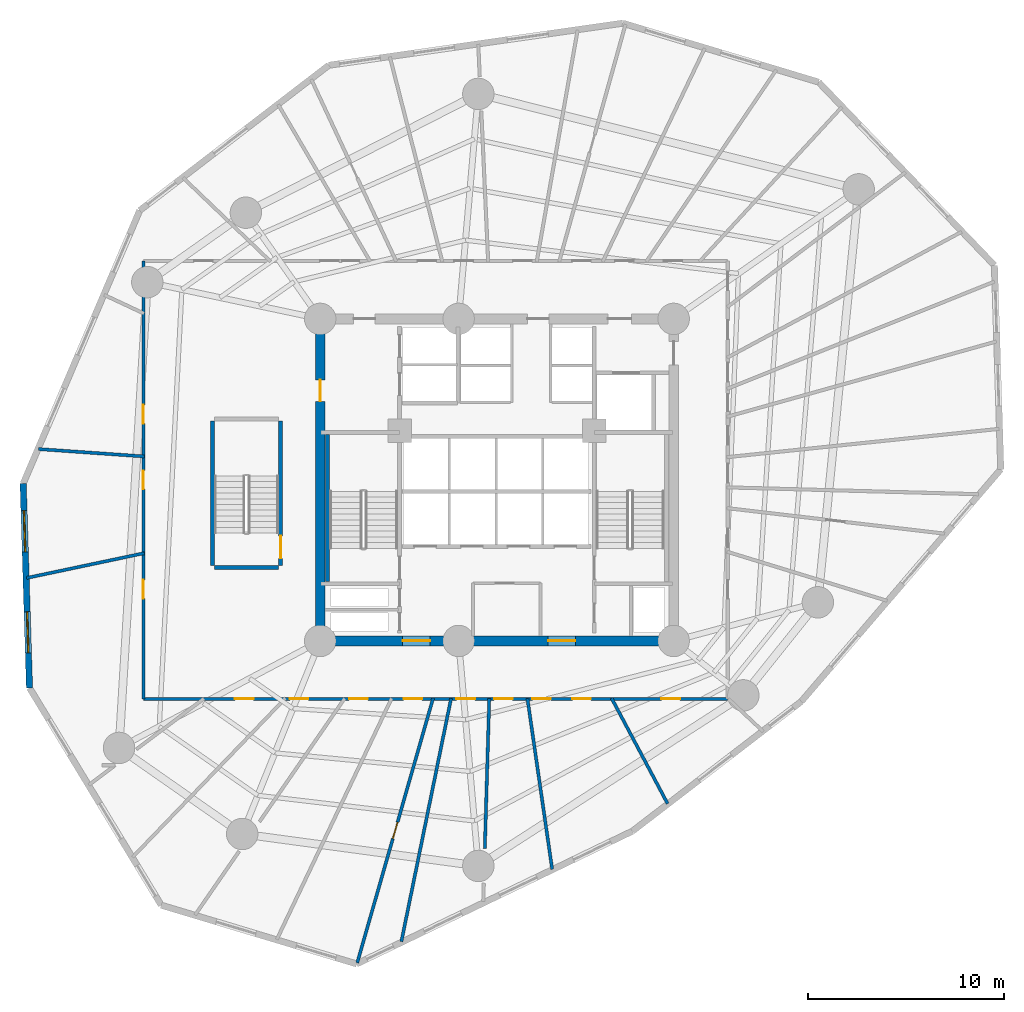
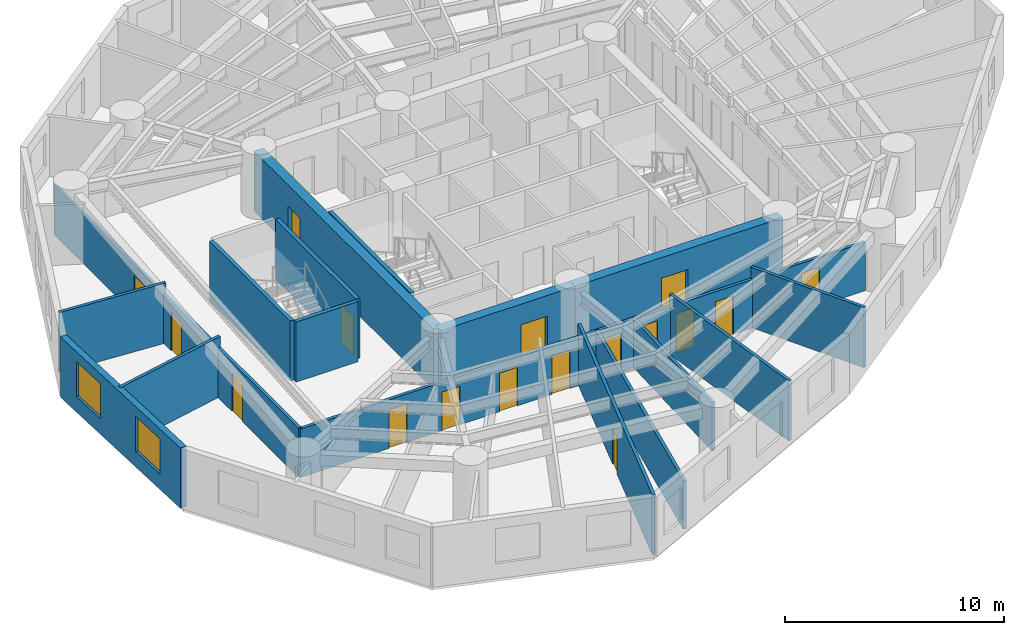
# One storey, part 3 of 8: 17 doors, 17 walls, 2 windows, 19 openings.
"""IFC4 building model written with IfcOpenShell, lengths in metres."""

import ifcopenshell
import ifcopenshell.guid

model = None  # the IFC model being written
_history = None  # IfcOwnerHistory: only IFC2X3 demands one
_inside = {}  # id of a spatial element -> (the spatial element, [elements in it])
_under = {}  # id of a project, library or spatial element -> (it, [spatial elements below it])
_declared = {}  # id of a project -> (the project, [libraries it declares])
_typed = {}  # id of a type object -> (the type object, [elements of that type])
_made_of = {}  # id of a material, layer set ... -> (it, [elements and type objects made of it])


def new_model(schema):
    """Start an empty IFC model of exactly this schema.

    Asked for "IFC4X3", IfcOpenShell would pick the latest addendum, in which some entities
    have other attributes; the version numbers below select the first issue.
    IFC2X3 requires an IfcOwnerHistory on every rooted entity: one is made here for all.
    """
    global model, _history
    if schema == "IFC4X3":
        model = ifcopenshell.file(schema_version=(4, 3, 0, 0))
    else:
        model = ifcopenshell.file(schema=schema)
    _inside.clear()
    _under.clear()
    _declared.clear()
    _typed.clear()
    _made_of.clear()
    _history = None
    if model.schema == "IFC2X3":
        org = make("IfcOrganization", Name="unknown")
        user = make(
            "IfcPersonAndOrganization",
            ThePerson=make("IfcPerson", FamilyName="unknown"),
            TheOrganization=org,
        )
        app = make(
            "IfcApplication",
            ApplicationDeveloper=org,
            Version="unknown",
            ApplicationFullName="unknown",
            ApplicationIdentifier="unknown",
        )
        _history = make(
            "IfcOwnerHistory",
            OwningUser=user,
            OwningApplication=app,
            ChangeAction="ADDED",
            CreationDate=0,
        )
    return model


def make(cls, **values):
    """One entity of the class cls with the attributes given. An attribute that is None is left unset."""
    return model.create_entity(
        cls, **{name: value for name, value in values.items() if value is not None}
    )


def rooted(cls, **values):
    """An entity with a GlobalId (a new one), such as an element, a storey or a relation."""
    return make(cls, GlobalId=ifcopenshell.guid.new(), OwnerHistory=_history, **values)


def si_unit(unit_type, name, prefix=None):
    """IfcSIUnit, for example si_unit("LENGTHUNIT", "METRE", prefix="MILLI")."""
    return make("IfcSIUnit", UnitType=unit_type, Prefix=prefix, Name=name)


def assignment(units):
    """IfcUnitAssignment: the units of a project."""
    return None if units is None else make("IfcUnitAssignment", Units=units)


def point(xyz):
    """IfcCartesianPoint."""
    return None if xyz is None else make("IfcCartesianPoint", Coordinates=xyz)


def direction(xyz):
    """IfcDirection."""
    return None if xyz is None else make("IfcDirection", DirectionRatios=xyz)


def frame(location, z_axis=None, x_axis=None):
    """IfcAxis2Placement3D, a coordinate frame: its origin and axes. An axis left out is left unset."""
    return make(
        "IfcAxis2Placement3D",
        Location=point(location),
        Axis=direction(z_axis),
        RefDirection=direction(x_axis),
    )


def frame_2d(location, x_axis=None):
    """IfcAxis2Placement2D, a coordinate frame in the plane: its origin and x axis."""
    return make(
        "IfcAxis2Placement2D", Location=point(location), RefDirection=direction(x_axis)
    )


def origin():
    """The frame at (0, 0, 0) with its axes left unset."""
    return frame((0.0, 0.0, 0.0))


def origin_with_axes():
    """The frame at (0, 0, 0) with the z axis (0, 0, 1) and the x axis (1, 0, 0) written out."""
    return frame((0.0, 0.0, 0.0), z_axis=(0.0, 0.0, 1.0), x_axis=(1.0, 0.0, 0.0))


def place(relative_to, where):
    """IfcLocalPlacement: puts the frame where relative to a parent placement (None: the world)."""
    return make(
        "IfcLocalPlacement", PlacementRelTo=relative_to, RelativePlacement=where
    )


def context(
    kind, dimensions, precision=None, world=None, true_north=None, identifier=None
):
    """IfcGeometricRepresentationContext, for example the 3D "Model" context."""
    return make(
        "IfcGeometricRepresentationContext",
        ContextIdentifier=identifier,
        ContextType=kind,
        CoordinateSpaceDimension=dimensions,
        Precision=precision,
        WorldCoordinateSystem=world,
        TrueNorth=true_north,
    )


def subcontext(parent, identifier, kind, view, scale=None):
    """IfcGeometricRepresentationSubContext, for example "Body" below "Model"."""
    return make(
        "IfcGeometricRepresentationSubContext",
        ContextIdentifier=identifier,
        ContextType=kind,
        ParentContext=parent,
        TargetScale=scale,
        TargetView=view,
    )


def project(units=None, contexts=None):
    """IfcProject with its units and contexts."""
    return rooted(
        "IfcProject",
        Name="project",
        RepresentationContexts=contexts,
        UnitsInContext=assignment(units),
    )


def spatial(cls, under=None, at=None, **own):
    """A site, building, storey or space (cls), placed at a placement, below another one or the project."""
    s = rooted(cls, ObjectPlacement=at, **own)
    if under is not None:
        _under.setdefault(under.id(), (under, []))[1].append(s)
    return s


def profile(cls, at=None, kind="AREA", **sizes):
    """A parametric profile (cls). Its sizes go by their IFC names, for example OverallWidth=200.0."""
    return make(cls, ProfileType=kind, Position=at, **sizes)


def rectangle(**sizes):
    """IfcRectangleProfileDef."""
    return profile("IfcRectangleProfileDef", **sizes)


def extrude(swept, where, along, depth):
    """IfcExtrudedAreaSolid: the profile swept, set in the frame where, extruded along a direction by depth."""
    return make(
        "IfcExtrudedAreaSolid",
        SweptArea=swept,
        Position=where,
        ExtrudedDirection=direction(along),
        Depth=depth,
    )


def shape(context_of_items, identifier, shape_type, items):
    """IfcShapeRepresentation: the items that make up one representation, for example the "Body"."""
    return make(
        "IfcShapeRepresentation",
        ContextOfItems=context_of_items,
        RepresentationIdentifier=identifier,
        RepresentationType=shape_type,
        Items=items,
    )


def source(mapping_origin, context_of_items, identifier, shape_type, items):
    """IfcRepresentationMap: a shape defined once, which mapped items show again and again."""
    return make(
        "IfcRepresentationMap",
        MappingOrigin=mapping_origin,
        MappedRepresentation=shape(context_of_items, identifier, shape_type, items),
    )


def transform(
    local_origin,
    x_axis=None,
    y_axis=None,
    z_axis=None,
    scale=None,
    scale2=None,
    scale3=None,
    uniform=True,
):
    """IfcCartesianTransformationOperator3D, or its non-uniform kind. x_axis, y_axis, z_axis: its Axis1, 2, 3."""
    if uniform:
        return make(
            "IfcCartesianTransformationOperator3D",
            Axis1=direction(x_axis),
            Axis2=direction(y_axis),
            LocalOrigin=point(local_origin),
            Scale=scale,
            Axis3=direction(z_axis),
        )
    return make(
        "IfcCartesianTransformationOperator3DnonUniform",
        Axis1=direction(x_axis),
        Axis2=direction(y_axis),
        LocalOrigin=point(local_origin),
        Scale=scale,
        Axis3=direction(z_axis),
        Scale2=scale2,
        Scale3=scale3,
    )


def mapped(mapping_source, mapping_target):
    """IfcMappedItem: shows the shape of a source again, moved by a transform."""
    return make(
        "IfcMappedItem", MappingSource=mapping_source, MappingTarget=mapping_target
    )


def material(Name=None, Category=None):
    """IfcMaterial."""
    return make("IfcMaterial", Name=Name, Category=Category)


def layer(
    of_material, thickness, ventilated=None, Name=None, Category=None, Priority=None
):
    """IfcMaterialLayer: one layer of a wall or slab, of a material (None: an air gap)."""
    return make(
        "IfcMaterialLayer",
        Material=of_material,
        LayerThickness=thickness,
        IsVentilated=ventilated,
        Name=Name,
        Category=Category,
        Priority=Priority,
    )


def layer_set(layers, Name=None):
    """IfcMaterialLayerSet."""
    return make("IfcMaterialLayerSet", MaterialLayers=layers, LayerSetName=Name)


def made_of(thing, what):
    """Note that an element or type object is made of a material, layer set ...; save() writes the relation."""
    if what is not None:
        _made_of.setdefault(what.id(), (what, []))[1].append(thing)
    return thing


def type_object(cls, material=None, **own):
    """A type object (cls), such as IfcWallType, which elements share."""
    return made_of(rooted(cls, **own), material)


def element(
    cls,
    number,
    at=None,
    inside=None,
    cuts=None,
    type_object=None,
    material=None,
    context=None,
    identifier="Body",
    shape_type=None,
    held_by="IfcProductDefinitionShape",
    body=None,
    shapes=None,
    **own,
):
    """One element of the class cls, such as IfcWall. Its Tag is "e" and its number.

    at: its placement. inside: the storey or other place that contains it. cuts: it is an
    opening in that element (IfcRelVoidsElement). A single representation is given by context,
    identifier, shape_type and body (its items); several are given by shapes. held_by: the class
    of the entity that holds the representations. save() writes the other relations.
    """
    e = rooted(cls, Tag="e%d" % number, ObjectPlacement=at, **own)
    if body is not None:
        shapes = [shape(context, identifier, shape_type, body)]
    if shapes is not None:
        e.Representation = make(held_by, Representations=shapes)
    if inside is not None:
        _inside.setdefault(inside.id(), (inside, []))[1].append(e)
    if cuts is not None:
        rooted(
            "IfcRelVoidsElement", RelatingBuildingElement=cuts, RelatedOpeningElement=e
        )
    if type_object is not None:
        _typed.setdefault(type_object.id(), (type_object, []))[1].append(e)
    return made_of(e, material)


def fill(opening, filler):
    """IfcRelFillsElement: the door or window that sits in an opening."""
    return rooted(
        "IfcRelFillsElement",
        RelatingOpeningElement=opening,
        RelatedBuildingElement=filler,
    )


def aggregate(whole, parts):
    """IfcRelAggregates: a whole, such as a stair, and the parts it consists of."""
    return rooted("IfcRelAggregates", RelatingObject=whole, RelatedObjects=parts)


def save(model, path):
    """Write the relations noted so far, then the file.

    IfcRelAggregates (storeys below a building ...), IfcRelContainedInSpatialStructure (elements
    in a storey), IfcRelDefinesByType, IfcRelAssociatesMaterial and IfcRelDeclares: one each for
    every whole, place, type object, material and project.
    """
    for whole, parts in _under.values():
        aggregate(whole, parts)
    for where, things in _inside.values():
        rooted(
            "IfcRelContainedInSpatialStructure",
            RelatedElements=things,
            RelatingStructure=where,
        )
    for kind, things in _typed.values():
        rooted("IfcRelDefinesByType", RelatedObjects=things, RelatingType=kind)
    for what, things in _made_of.values():
        rooted("IfcRelAssociatesMaterial", RelatedObjects=things, RelatingMaterial=what)
    for by, libraries in _declared.values():
        rooted("IfcRelDeclares", RelatingContext=by, RelatedDefinitions=libraries)
    model.write(path)


model = new_model("IFC4")

# Units and contexts
model_context = context("Model", 3, precision=1e-05, world=origin(), true_north=direction((0.0, 1.0)))
body_context = subcontext(model_context, "Body", "Model", "MODEL_VIEW")
ifc_project = project(units=[si_unit("LENGTHUNIT", "METRE"), si_unit("AREAUNIT", "SQUARE_METRE"), si_unit("VOLUMEUNIT", "CUBIC_METRE"), si_unit("PLANEANGLEUNIT", "RADIAN"), si_unit("MASSUNIT", "GRAM", prefix="KILO")], contexts=[model_context])

# Site, building, storey
site_placement = place(None, origin())
site = spatial("IfcSite", under=ifc_project, at=site_placement, CompositionType="ELEMENT")
building_placement = place(site_placement, origin())
building = spatial("IfcBuilding", under=site, at=building_placement, Name="Karkom Vertical University and Central Library", CompositionType="ELEMENT")
storey_placement = place(building_placement, frame((0.0, 0.0, 51.699951171875)))
storey = spatial("IfcBuildingStorey", under=building, at=storey_placement, Name="L13", CompositionType="ELEMENT", Elevation=51.699951171875)

# Wall, openings, windows
ifc_material_1 = material(Name="Brick-faced precast concrete C45/55", Category="masonry")
ifc_layer_1 = layer(ifc_material_1, 0.320068359375)
ifc_layer_set_1 = layer_set([ifc_layer_1], Name="Brick-faced precast concrete C45/55")
wall_type_1 = type_object("IfcWallType", Name="ENV-WL-BRK-320", PredefinedType="SOLIDWALL", material=ifc_layer_set_1)
wall_1_placement = place(storey_placement, frame((4.37451171875, 26.316650390625, 0.0), z_axis=(0.0, 0.0, 1.0), x_axis=(0.030968346073, -0.999520365746, 0.0)))
wall_1 = element("IfcWall", 1, at=wall_1_placement, inside=storey, type_object=wall_type_1, Name="Level 13 Brick-Faced Precast Facade Wall 03", PredefinedType="SOLIDWALL", context=body_context, shape_type="SweptSolid", body=[
    extrude(rectangle(XDim=10.4140625, YDim=0.320068359375, at=frame_2d((5.20703125, 0.0))), origin(), (0.0, 0.0, 1.0), 3.35009765625),
])
opening_1_placement = place(wall_1_placement, frame((1.383544921875, 0.0, 0.85009765625)))
opening_1 = element("IfcOpeningElement", 2, at=opening_1_placement, cuts=wall_1, Name="Opening WN-03", PredefinedType="OPENING", context=body_context, shape_type="SweptSolid", body=[
    extrude(rectangle(XDim=2.10009765625, YDim=1.949951171875, at=frame_2d((1.050048828125, 0.97509765625))), frame((0.0, 0.169921875, 0.0), z_axis=(0.0, -1.0, 0.0), x_axis=(1.0, 0.0, 0.0)), (0.0, 0.0, 1.0), 0.340087890625),
])
opening_2_placement = place(wall_1_placement, frame((6.53076171875, 0.0, 0.85009765625)))
opening_2 = element("IfcOpeningElement", 3, at=opening_2_placement, cuts=wall_1, Name="Opening WN-03", PredefinedType="OPENING", context=body_context, shape_type="SweptSolid", body=[
    extrude(rectangle(XDim=2.10009765625, YDim=1.949951171875, at=frame_2d((1.050048828125, 0.97509765625))), frame((0.0, 0.169921875, 0.0), z_axis=(0.0, -1.0, 0.0), x_axis=(1.0, 0.0, 0.0)), (0.0, 0.0, 1.0), 0.340087890625),
])
ifc_material_2 = material(Name="Aluminium thermal-break frame with solar-control IGU", Category="aluminium")
window_type = type_object("IfcWindowType", Name="ENV-WIN-WN-03", PartitioningType="SINGLE_PANEL", PredefinedType="WINDOW", material=ifc_material_2)
shared_shape_1 = source(origin_with_axes(), body_context, "Body", "SweptSolid", [
    extrude(rectangle(XDim=2.10009765625, YDim=1.949951171875, at=frame_2d((1.050048828125, 0.97509765625))), frame((0.0, 0.030029296875, 0.0), z_axis=(0.0, -1.0, 0.0), x_axis=(1.0, 0.0, 0.0)), (0.0, 0.0, 1.0), 0.06005859375),
])
window_1_placement = place(opening_1_placement, origin())
window_1 = element("IfcWindow", 4, at=window_1_placement, inside=storey, type_object=window_type, Name="Level 13 Punched Window 3.1", OverallHeight=1.949951171875, OverallWidth=2.10009765625, PartitioningType="SINGLE_PANEL", PredefinedType="WINDOW", context=body_context, shape_type="MappedRepresentation", body=[
    mapped(shared_shape_1, transform((0.0, 0.0, 0.0), scale=1.0)),
])
fill(opening_1, window_1)
window_2_placement = place(opening_2_placement, origin())
window_2 = element("IfcWindow", 5, at=window_2_placement, inside=storey, type_object=window_type, Name="Level 13 Punched Window 3.2", OverallHeight=1.949951171875, OverallWidth=2.10009765625, PartitioningType="SINGLE_PANEL", PredefinedType="WINDOW", context=body_context, shape_type="MappedRepresentation", body=[
    mapped(shared_shape_1, transform((0.0, 0.0, 0.0), scale=1.0)),
])
fill(opening_2, window_2)

# Wall, openings, doors
ifc_material_3 = material(Name="Insulated metal-stud drywall 160mm", Category="gypsum")
ifc_layer_2 = layer(ifc_material_3, 0.159912109375)
ifc_layer_set_2 = layer_set([ifc_layer_2], Name="Insulated metal-stud drywall 160mm")
wall_type_2 = type_object("IfcWallType", Name="INT-WL-COR-160", PredefinedType="PARTITIONING", material=ifc_layer_set_2)
wall_2_placement = place(storey_placement, frame((40.25, 15.35009765625, 0.0), z_axis=(0.0, 0.0, 1.0), x_axis=(-1.0, 0.0, 0.0)))
wall_2 = element("IfcWall", 6, at=wall_2_placement, inside=storey, type_object=wall_type_2, Name="Level 13 Interior Partition Wall L13-CORW-CW-001", PredefinedType="PARTITIONING", context=body_context, shape_type="SweptSolid", body=[
    extrude(rectangle(XDim=29.75, YDim=0.159912109375, at=frame_2d((14.875, 0.0))), origin(), (0.0, 0.0, 1.0), 2.699951171875),
])
opening_3_placement = place(wall_2_placement, frame((24.139892578125, 0.0, 0.0)))
opening_3 = element("IfcOpeningElement", 7, at=opening_3_placement, cuts=wall_2, Name="Opening D-RM1", PredefinedType="OPENING", context=body_context, shape_type="SweptSolid", body=[
    extrude(rectangle(XDim=0.949951171875, YDim=2.14990234375, at=frame_2d((0.47509765625, 1.074951171875))), frame((0.0, 0.08984375, 0.0), z_axis=(0.0, -1.0, 0.0), x_axis=(1.0, 0.0, 0.0)), (0.0, 0.0, 1.0), 0.179931640625),
])
opening_4_placement = place(wall_2_placement, frame((21.347412109375, 0.0, 0.0)))
opening_4 = element("IfcOpeningElement", 8, at=opening_4_placement, cuts=wall_2, Name="Opening D-RM1", PredefinedType="OPENING", context=body_context, shape_type="SweptSolid", body=[
    extrude(rectangle(XDim=0.949951171875, YDim=2.14990234375, at=frame_2d((0.47509765625, 1.074951171875))), frame((0.0, 0.08984375, 0.0), z_axis=(0.0, -1.0, 0.0), x_axis=(1.0, 0.0, 0.0)), (0.0, 0.0, 1.0), 0.179931640625),
])
opening_5_placement = place(wall_2_placement, frame((18.322509765625, 0.0, 0.0)))
opening_5 = element("IfcOpeningElement", 9, at=opening_5_placement, cuts=wall_2, Name="Opening D-RM1", PredefinedType="OPENING", context=body_context, shape_type="SweptSolid", body=[
    extrude(rectangle(XDim=0.949951171875, YDim=2.14990234375, at=frame_2d((0.47509765625, 1.074951171875))), frame((0.0, 0.08984375, 0.0), z_axis=(0.0, -1.0, 0.0), x_axis=(1.0, 0.0, 0.0)), (0.0, 0.0, 1.0), 0.179931640625),
])
opening_6_placement = place(wall_2_placement, frame((15.556396484375, 0.0, 0.0)))
opening_6 = element("IfcOpeningElement", 10, at=opening_6_placement, cuts=wall_2, Name="Opening D-RM1", PredefinedType="OPENING", context=body_context, shape_type="SweptSolid", body=[
    extrude(rectangle(XDim=0.949951171875, YDim=2.14990234375, at=frame_2d((0.47509765625, 1.074951171875))), frame((0.0, 0.08984375, 0.0), z_axis=(0.0, -1.0, 0.0), x_axis=(1.0, 0.0, 0.0)), (0.0, 0.0, 1.0), 0.179931640625),
])
opening_7_placement = place(wall_2_placement, frame((12.860107421875, 0.0, 0.0)))
opening_7 = element("IfcOpeningElement", 11, at=opening_7_placement, cuts=wall_2, Name="Opening D-RM1", PredefinedType="OPENING", context=body_context, shape_type="SweptSolid", body=[
    extrude(rectangle(XDim=0.949951171875, YDim=2.14990234375, at=frame_2d((0.47509765625, 1.074951171875))), frame((0.0, 0.08984375, 0.0), z_axis=(0.0, -1.0, 0.0), x_axis=(1.0, 0.0, 0.0)), (0.0, 0.0, 1.0), 0.179931640625),
])
opening_8_placement = place(wall_2_placement, frame((10.948974609375, 0.0, 0.0)))
opening_8 = element("IfcOpeningElement", 12, at=opening_8_placement, cuts=wall_2, Name="Opening D-RM1", PredefinedType="OPENING", context=body_context, shape_type="SweptSolid", body=[
    extrude(rectangle(XDim=0.949951171875, YDim=2.14990234375, at=frame_2d((0.47509765625, 1.074951171875))), frame((0.0, 0.08984375, 0.0), z_axis=(0.0, -1.0, 0.0), x_axis=(1.0, 0.0, 0.0)), (0.0, 0.0, 1.0), 0.179931640625),
])
opening_9_placement = place(wall_2_placement, frame((8.99755859375, 0.0, 0.0)))
opening_9 = element("IfcOpeningElement", 13, at=opening_9_placement, cuts=wall_2, Name="Opening D-RM1", PredefinedType="OPENING", context=body_context, shape_type="SweptSolid", body=[
    extrude(rectangle(XDim=0.949951171875, YDim=2.14990234375, at=frame_2d((0.47509765625, 1.074951171875))), frame((0.0, 0.08984375, 0.0), z_axis=(0.0, -1.0, 0.0), x_axis=(1.0, 0.0, 0.0)), (0.0, 0.0, 1.0), 0.179931640625),
])
opening_10_placement = place(wall_2_placement, frame((6.96240234375, 0.0, 0.0)))
opening_10 = element("IfcOpeningElement", 14, at=opening_10_placement, cuts=wall_2, Name="Opening D-RM1", PredefinedType="OPENING", context=body_context, shape_type="SweptSolid", body=[
    extrude(rectangle(XDim=0.949951171875, YDim=2.14990234375, at=frame_2d((0.47509765625, 1.074951171875))), frame((0.0, 0.08984375, 0.0), z_axis=(0.0, -1.0, 0.0), x_axis=(1.0, 0.0, 0.0)), (0.0, 0.0, 1.0), 0.179931640625),
])
opening_11_placement = place(wall_2_placement, frame((2.425048828125, 0.0, 0.0)))
opening_11 = element("IfcOpeningElement", 15, at=opening_11_placement, cuts=wall_2, Name="Opening D-RM1", PredefinedType="OPENING", context=body_context, shape_type="SweptSolid", body=[
    extrude(rectangle(XDim=0.949951171875, YDim=2.14990234375, at=frame_2d((0.47509765625, 1.074951171875))), frame((0.0, 0.08984375, 0.0), z_axis=(0.0, -1.0, 0.0), x_axis=(1.0, 0.0, 0.0)), (0.0, 0.0, 1.0), 0.179931640625),
])
ifc_material_4 = material(Name="Solid-core oak veneer door", Category="wood")
door_type_1 = type_object("IfcDoorType", Name="INT-DR-RM1", OperationType="NOTDEFINED", PredefinedType="DOOR", material=ifc_material_4)
shared_shape_2 = source(origin_with_axes(), body_context, "Body", "SweptSolid", [
    extrude(rectangle(XDim=0.949951171875, YDim=2.14990234375, at=frame_2d((0.47509765625, 1.074951171875))), frame((0.0, 0.02490234375, 0.0), z_axis=(0.0, -1.0, 0.0), x_axis=(1.0, 0.0, 0.0)), (0.0, 0.0, 1.0), 0.050048828125),
])
door_1_placement = place(opening_3_placement, origin())
door_1 = element("IfcDoor", 16, at=door_1_placement, inside=storey, type_object=door_type_1, Name="Level 13 Room Entry Door 020", OperationType="SINGLE_SWING_LEFT", OverallHeight=2.14990234375, OverallWidth=0.949951171875, PredefinedType="DOOR", context=body_context, shape_type="MappedRepresentation", body=[
    mapped(shared_shape_2, transform((0.0, 0.0, 0.0), scale=1.0)),
])
fill(opening_3, door_1)
door_2_placement = place(opening_4_placement, origin())
door_2 = element("IfcDoor", 17, at=door_2_placement, inside=storey, type_object=door_type_1, Name="Level 13 Room Entry Door 030", OperationType="SINGLE_SWING_RIGHT", OverallHeight=2.14990234375, OverallWidth=0.949951171875, PredefinedType="DOOR", context=body_context, shape_type="MappedRepresentation", body=[
    mapped(shared_shape_2, transform((0.0, 0.0, 0.0), scale=1.0)),
])
fill(opening_4, door_2)
door_3_placement = place(opening_5_placement, origin())
door_3 = element("IfcDoor", 18, at=door_3_placement, inside=storey, type_object=door_type_1, Name="Level 13 Room Entry Door 040", OperationType="SINGLE_SWING_LEFT", OverallHeight=2.14990234375, OverallWidth=0.949951171875, PredefinedType="DOOR", context=body_context, shape_type="MappedRepresentation", body=[
    mapped(shared_shape_2, transform((0.0, 0.0, 0.0), scale=1.0)),
])
fill(opening_5, door_3)
door_4_placement = place(opening_6_placement, origin())
door_4 = element("IfcDoor", 19, at=door_4_placement, inside=storey, type_object=door_type_1, Name="Level 13 Room Entry Door 050", OperationType="SINGLE_SWING_RIGHT", OverallHeight=2.14990234375, OverallWidth=0.949951171875, PredefinedType="DOOR", context=body_context, shape_type="MappedRepresentation", body=[
    mapped(shared_shape_2, transform((0.0, 0.0, 0.0), scale=1.0)),
])
fill(opening_6, door_4)
door_5_placement = place(opening_7_placement, origin())
door_5 = element("IfcDoor", 20, at=door_5_placement, inside=storey, type_object=door_type_1, Name="Level 13 Room Entry Door 060", OperationType="SINGLE_SWING_LEFT", OverallHeight=2.14990234375, OverallWidth=0.949951171875, PredefinedType="DOOR", context=body_context, shape_type="MappedRepresentation", body=[
    mapped(shared_shape_2, transform((0.0, 0.0, 0.0), scale=1.0)),
])
fill(opening_7, door_5)
door_6_placement = place(opening_8_placement, origin())
door_6 = element("IfcDoor", 21, at=door_6_placement, inside=storey, type_object=door_type_1, Name="Level 13 Room Entry Door 070", OperationType="SINGLE_SWING_RIGHT", OverallHeight=2.14990234375, OverallWidth=0.949951171875, PredefinedType="DOOR", context=body_context, shape_type="MappedRepresentation", body=[
    mapped(shared_shape_2, transform((0.0, 0.0, 0.0), scale=1.0)),
])
fill(opening_8, door_6)
door_7_placement = place(opening_9_placement, origin())
door_7 = element("IfcDoor", 22, at=door_7_placement, inside=storey, type_object=door_type_1, Name="Level 13 Room Entry Door 080", OperationType="SINGLE_SWING_LEFT", OverallHeight=2.14990234375, OverallWidth=0.949951171875, PredefinedType="DOOR", context=body_context, shape_type="MappedRepresentation", body=[
    mapped(shared_shape_2, transform((0.0, 0.0, 0.0), scale=1.0)),
])
fill(opening_9, door_7)
door_8_placement = place(opening_10_placement, origin())
door_8 = element("IfcDoor", 23, at=door_8_placement, inside=storey, type_object=door_type_1, Name="Level 13 Room Entry Door 090", OperationType="SINGLE_SWING_RIGHT", OverallHeight=2.14990234375, OverallWidth=0.949951171875, PredefinedType="DOOR", context=body_context, shape_type="MappedRepresentation", body=[
    mapped(shared_shape_2, transform((0.0, 0.0, 0.0), scale=1.0)),
])
fill(opening_10, door_8)
door_9_placement = place(opening_11_placement, origin())
door_9 = element("IfcDoor", 24, at=door_9_placement, inside=storey, type_object=door_type_1, Name="Level 13 Room Entry Door 100", OperationType="SINGLE_SWING_LEFT", OverallHeight=2.14990234375, OverallWidth=0.949951171875, PredefinedType="DOOR", context=body_context, shape_type="MappedRepresentation", body=[
    mapped(shared_shape_2, transform((0.0, 0.0, 0.0), scale=1.0)),
])
fill(opening_11, door_9)

wall_3_placement = place(storey_placement, frame((10.5, 15.35009765625, 0.0), z_axis=(0.0, 0.0, 1.0), x_axis=(0.0, 1.0, 0.0)))
wall_3 = element("IfcWall", 25, at=wall_3_placement, inside=storey, type_object=wall_type_2, Name="Level 13 Interior Partition Wall L13-CORW-CW-002", PredefinedType="PARTITIONING", context=body_context, shape_type="SweptSolid", body=[
    extrude(rectangle(XDim=22.2998046875, YDim=0.159912109375, at=frame_2d((11.14990234375, 0.0))), origin(), (0.0, 0.0, 1.0), 2.75),
])
opening_12_placement = place(wall_3_placement, frame((10.675048828125, 0.0, 0.0)))
opening_12 = element("IfcOpeningElement", 26, at=opening_12_placement, cuts=wall_3, Name="Opening D-RM1", PredefinedType="OPENING", context=body_context, shape_type="SweptSolid", body=[
    extrude(rectangle(XDim=0.949951171875, YDim=2.14990234375, at=frame_2d((0.47509765625, 1.074951171875))), frame((0.0, 0.08984375, 0.0), z_axis=(0.0, -1.0, 0.0), x_axis=(1.0, 0.0, 0.0)), (0.0, 0.0, 1.0), 0.179931640625),
])
opening_13_placement = place(wall_3_placement, frame((5.10009765625, 0.0, 0.0)))
opening_13 = element("IfcOpeningElement", 27, at=opening_13_placement, cuts=wall_3, Name="Opening FD-RM2", PredefinedType="OPENING", context=body_context, shape_type="SweptSolid", body=[
    extrude(rectangle(XDim=0.9599609375, YDim=2.14990234375, at=frame_2d((0.47998046875, 1.074951171875))), frame((0.0, 0.08984375, 0.0), z_axis=(0.0, -1.0, 0.0), x_axis=(1.0, 0.0, 0.0)), (0.0, 0.0, 1.0), 0.179931640625),
])
opening_14_placement = place(wall_3_placement, frame((14.02001953125, 0.0, 0.0)))
opening_14 = element("IfcOpeningElement", 28, at=opening_14_placement, cuts=wall_3, Name="Opening D-RM1", PredefinedType="OPENING", context=body_context, shape_type="SweptSolid", body=[
    extrude(rectangle(XDim=0.949951171875, YDim=2.14990234375, at=frame_2d((0.47509765625, 1.074951171875))), frame((0.0, 0.08984375, 0.0), z_axis=(0.0, -1.0, 0.0), x_axis=(1.0, 0.0, 0.0)), (0.0, 0.0, 1.0), 0.179931640625),
])
ifc_material_5 = material(Name="Fire-rated oak veneer door", Category="wood")
door_type_2 = type_object("IfcDoorType", Name="INT-DR-FRM2", OperationType="NOTDEFINED", PredefinedType="DOOR", material=ifc_material_5)
shared_shape_3 = source(origin_with_axes(), body_context, "Body", "SweptSolid", [
    extrude(rectangle(XDim=0.9599609375, YDim=2.14990234375, at=frame_2d((0.47998046875, 1.074951171875))), frame((0.0, 0.02490234375, 0.0), z_axis=(0.0, -1.0, 0.0), x_axis=(1.0, 0.0, 0.0)), (0.0, 0.0, 1.0), 0.050048828125),
])
door_10_placement = place(opening_13_placement, origin())
door_10 = element("IfcDoor", 29, at=door_10_placement, inside=storey, type_object=door_type_2, Name="Level 13 Room Entry Door 010", OperationType="SINGLE_SWING_RIGHT", OverallHeight=2.14990234375, OverallWidth=0.9599609375, PredefinedType="DOOR", context=body_context, shape_type="MappedRepresentation", body=[
    mapped(shared_shape_3, transform((0.0, 0.0, 0.0), scale=1.0)),
])
fill(opening_13, door_10)
door_11_placement = place(opening_12_placement, origin())
door_11 = element("IfcDoor", 30, at=door_11_placement, inside=storey, type_object=door_type_1, Name="Level 13 Room Entry Door 000", OperationType="SINGLE_SWING_LEFT", OverallHeight=2.14990234375, OverallWidth=0.949951171875, PredefinedType="DOOR", context=body_context, shape_type="MappedRepresentation", body=[
    mapped(shared_shape_2, transform((0.0, 0.0, 0.0), scale=1.0)),
])
fill(opening_12, door_11)
door_12_placement = place(opening_14_placement, origin())
door_12 = element("IfcDoor", 31, at=door_12_placement, inside=storey, type_object=door_type_1, Name="Level 13 Room Entry Door 300", OperationType="SINGLE_SWING_LEFT", OverallHeight=2.14990234375, OverallWidth=0.949951171875, PredefinedType="DOOR", context=body_context, shape_type="MappedRepresentation", body=[
    mapped(shared_shape_2, transform((0.0, 0.0, 0.0), scale=1.0)),
])
fill(opening_14, door_12)

# Wall, opening, door
wall_4_placement = place(storey_placement, frame((25.252685546875, 15.393310546875, 0.0), z_axis=(0.0, 0.0, 1.0), x_axis=(-0.27563831384, -0.961261421229, 0.0)))
wall_4 = element("IfcWall", 32, at=wall_4_placement, inside=storey, type_object=wall_type_2, Name="Level 13 Interior Partition Wall L13-PW-010", PredefinedType="PARTITIONING", context=body_context, shape_type="SweptSolid", body=[
    extrude(rectangle(XDim=14.025390625, YDim=0.159912109375, at=frame_2d((7.0126953125, 0.0))), origin(), (0.0, 0.0, 1.0), 3.35009765625),
])
opening_15_placement = place(wall_4_placement, frame((6.582763671875, 0.0, 0.0)))
opening_15 = element("IfcOpeningElement", 33, at=opening_15_placement, cuts=wall_4, Name="Opening FD-BTH2", PredefinedType="OPENING", context=body_context, shape_type="SweptSolid", body=[
    extrude(rectangle(XDim=0.860107421875, YDim=2.0400390625, at=frame_2d((0.43017578125, 1.02001953125))), frame((0.0, 0.08984375, 0.0), z_axis=(0.0, -1.0, 0.0), x_axis=(1.0, 0.0, 0.0)), (0.0, 0.0, 1.0), 0.179931640625),
])
ifc_material_6 = material(Name="Fire-rated moisture-resistant oak door", Category="wood")
door_type_3 = type_object("IfcDoorType", Name="INT-DR-FBTH2", OperationType="NOTDEFINED", PredefinedType="DOOR", material=ifc_material_6)
shared_shape_4 = source(origin_with_axes(), body_context, "Body", "SweptSolid", [
    extrude(rectangle(XDim=0.860107421875, YDim=2.0400390625, at=frame_2d((0.43017578125, 1.02001953125))), frame((0.0, 0.02490234375, 0.0), z_axis=(0.0, -1.0, 0.0), x_axis=(1.0, 0.0, 0.0)), (0.0, 0.0, 1.0), 0.050048828125),
])
door_13_placement = place(opening_15_placement, origin())
door_13 = element("IfcDoor", 34, at=door_13_placement, inside=storey, type_object=door_type_3, Name="Level 13 Faculty Consultation and Research Office Entry Door", OperationType="SINGLE_SWING_RIGHT", OverallHeight=2.0400390625, OverallWidth=0.860107421875, PredefinedType="DOOR", context=body_context, shape_type="MappedRepresentation", body=[
    mapped(shared_shape_4, transform((0.0, 0.0, 0.0), scale=1.0)),
])
fill(opening_15, door_13)

# Walls
wall_5_placement = place(storey_placement, frame((26.165771484375, 15.37939453125, 0.0), z_axis=(0.0, 0.0, 1.0), x_axis=(-0.200268632856, -0.979741024299, 0.0)))
element("IfcWall", 35, at=wall_5_placement, inside=storey, type_object=wall_type_2, Name="Level 13 Interior Partition Wall L13-PW-011", PredefinedType="PARTITIONING", context=body_context, shape_type="SweptSolid", body=[
    extrude(rectangle(XDim=12.646484375, YDim=0.159912109375, at=frame_2d((6.3232421875, 0.0))), origin(), (0.0, 0.0, 1.0), 2.699951171875),
])
wall_6_placement = place(storey_placement, frame((30.051025390625, 15.379638671875, 0.0), z_axis=(0.0, 0.0, 1.0), x_axis=(0.14344167973, -0.989658771757, 0.0)))
element("IfcWall", 36, at=wall_6_placement, inside=storey, type_object=wall_type_2, Name="Level 13 Interior Partition Wall L13-PW-014", PredefinedType="PARTITIONING", context=body_context, shape_type="SweptSolid", body=[
    extrude(rectangle(XDim=8.796142578125, YDim=0.159912109375, at=frame_2d((4.39794921875, 0.0))), origin(), (0.0, 0.0, 1.0), 3.35009765625),
])
wall_7_placement = place(storey_placement, frame((28.109619140625, 15.3798828125, 0.0), z_axis=(0.0, 0.0, 1.0), x_axis=(-0.029708164718, -0.999558615064, 0.0)))
element("IfcWall", 37, at=wall_7_placement, inside=storey, type_object=wall_type_2, Name="Level 13 Interior Partition Wall L13-PW-012", PredefinedType="PARTITIONING", context=body_context, shape_type="SweptSolid", body=[
    extrude(rectangle(XDim=7.6591796875, YDim=0.159912109375, at=frame_2d((3.82958984375, 0.0))), origin(), (0.0, 0.0, 1.0), 2.699951171875),
])
wall_8_placement = place(storey_placement, frame((10.544189453125, 22.771484375, 0.0), z_axis=(0.0, 0.0, 1.0), x_axis=(-0.978449046047, -0.206488411998, 0.0)))
element("IfcWall", 38, at=wall_8_placement, inside=storey, type_object=wall_type_2, Name="Level 13 Interior Partition Wall L13-PW-001", PredefinedType="PARTITIONING", context=body_context, shape_type="SweptSolid", body=[
    extrude(rectangle(XDim=6.126953125, YDim=0.159912109375, at=frame_2d((3.0634765625, 0.0))), origin(), (0.0, 0.0, 1.0), 3.35009765625),
])
wall_9_placement = place(storey_placement, frame((34.33447265625, 15.3896484375, 0.0), z_axis=(0.0, 0.0, 1.0), x_axis=(0.469194343089, -0.883094937373, 0.0)))
element("IfcWall", 39, at=wall_9_placement, inside=storey, type_object=wall_type_2, Name="Level 13 Interior Partition Wall L13-PW-015", PredefinedType="PARTITIONING", context=body_context, shape_type="SweptSolid", body=[
    extrude(rectangle(XDim=6.084228515625, YDim=0.159912109375, at=frame_2d((3.0419921875, 0.0))), origin(), (0.0, 0.0, 1.0), 3.35009765625),
])
wall_10_placement = place(storey_placement, frame((5.154052734375, 28.071044921875, 0.0), z_axis=(0.0, 0.0, 1.0), x_axis=(0.997567581967, -0.069705949596, 0.0)))
element("IfcWall", 40, at=wall_10_placement, inside=storey, type_object=wall_type_2, Name="Level 13 Interior Partition Wall L13-PW-002", PredefinedType="PARTITIONING", context=body_context, shape_type="SweptSolid", body=[
    extrude(rectangle(XDim=5.404296875, YDim=0.159912109375, at=frame_2d((2.7021484375, 0.0))), origin(), (0.0, 0.0, 1.0), 3.35009765625),
])

# Wall, opening, door
ifc_material_7 = material(Name="Concrete C50/60", Category="concrete")
ifc_layer_3 = layer(ifc_material_7, 0.5)
ifc_layer_set_3 = layer_set([ifc_layer_3], Name="Concrete C50/60")
wall_type_3 = type_object("IfcWallType", Name="STR-WL-CW-500", PredefinedType="SHEAR", material=ifc_layer_set_3)
wall_11_placement = place(storey_placement, frame((19.5, 18.300048828125, 0.0), z_axis=(0.0, 0.0, 1.0), x_axis=(1.0, 0.0, 0.0)))
wall_11 = element("IfcWall", 41, at=wall_11_placement, inside=storey, type_object=wall_type_3, Name="Level 13 Central Core Shear Wall SW1", PredefinedType="SHEAR", context=body_context, shape_type="SweptSolid", body=[
    extrude(rectangle(XDim=7.050048828125, YDim=0.5, at=frame_2d((3.52490234375, 0.0))), origin(), (0.0, 0.0, 1.0), 3.35009765625),
])
opening_16_placement = place(wall_11_placement, frame((4.199951171875, 0.0, 0.0)))
opening_16 = element("IfcOpeningElement", 42, at=opening_16_placement, cuts=wall_11, Name="Opening FD-CLB", PredefinedType="OPENING", context=body_context, shape_type="SweptSolid", body=[
    extrude(rectangle(XDim=1.39990234375, YDim=2.199951171875, at=frame_2d((0.699951171875, 1.10009765625))), frame((0.0, 0.260009765625, 0.0), z_axis=(0.0, -1.0, 0.0), x_axis=(1.0, 0.0, 0.0)), (0.0, 0.0, 1.0), 0.52001953125),
])
ifc_material_8 = material(Name="Painted steel fire door", Category="steel")
door_type_4 = type_object("IfcDoorType", Name="INT-DR-CLB", OperationType="DOUBLE_DOOR_SINGLE_SWING", PredefinedType="DOOR", material=ifc_material_8)
shared_shape_5 = source(origin_with_axes(), body_context, "Body", "SweptSolid", [
    extrude(rectangle(XDim=1.39990234375, YDim=2.199951171875, at=frame_2d((0.699951171875, 1.10009765625))), frame((0.0, 0.02490234375, 0.0), z_axis=(0.0, -1.0, 0.0), x_axis=(1.0, 0.0, 0.0)), (0.0, 0.0, 1.0), 0.050048828125),
])
door_14_placement = place(opening_16_placement, origin())
door_14 = element("IfcDoor", 43, at=door_14_placement, inside=storey, type_object=door_type_4, Name="Level 13 South Core Lobby West Exit Door", OperationType="DOUBLE_DOOR_SINGLE_SWING", OverallHeight=2.199951171875, OverallWidth=1.39990234375, PredefinedType="DOOR", context=body_context, shape_type="MappedRepresentation", body=[
    mapped(shared_shape_5, transform((0.0, 0.0, 0.0), scale=1.0)),
])
fill(opening_16, door_14)

wall_12_placement = place(storey_placement, frame((26.550048828125, 18.300048828125, 0.0), z_axis=(0.0, 0.0, 1.0), x_axis=(1.0, 0.0, 0.0)))
wall_12 = element("IfcWall", 44, at=wall_12_placement, inside=storey, type_object=wall_type_3, Name="Level 13 Central Core Shear Wall SW2", PredefinedType="SHEAR", context=body_context, shape_type="SweptSolid", body=[
    extrude(rectangle(XDim=10.949951171875, YDim=0.5, at=frame_2d((5.47509765625, 0.0))), origin(), (0.0, 0.0, 1.0), 3.35009765625),
])
opening_17_placement = place(wall_12_placement, frame((4.550048828125, 0.0, 0.0)))
opening_17 = element("IfcOpeningElement", 45, at=opening_17_placement, cuts=wall_12, Name="Opening FD-CLB", PredefinedType="OPENING", context=body_context, shape_type="SweptSolid", body=[
    extrude(rectangle(XDim=1.39990234375, YDim=2.199951171875, at=frame_2d((0.699951171875, 1.10009765625))), frame((0.0, 0.260009765625, 0.0), z_axis=(0.0, -1.0, 0.0), x_axis=(1.0, 0.0, 0.0)), (0.0, 0.0, 1.0), 0.52001953125),
])
door_15_placement = place(opening_17_placement, origin())
door_15 = element("IfcDoor", 46, at=door_15_placement, inside=storey, type_object=door_type_4, Name="Level 13 South Core Lobby East Exit Door", OperationType="DOUBLE_DOOR_SINGLE_SWING", OverallHeight=2.199951171875, OverallWidth=1.39990234375, PredefinedType="DOOR", context=body_context, shape_type="MappedRepresentation", body=[
    mapped(shared_shape_5, transform((0.0, 0.0, 0.0), scale=1.0)),
])
fill(opening_17, door_15)

wall_13_placement = place(storey_placement, frame((19.5, 34.699951171875, 0.0), z_axis=(0.0, 0.0, 1.0), x_axis=(0.0, -1.0, 0.0)))
wall_13 = element("IfcWall", 47, at=wall_13_placement, inside=storey, type_object=wall_type_3, Name="Level 13 Central Core Shear Wall WW", PredefinedType="SHEAR", context=body_context, shape_type="SweptSolid", body=[
    extrude(rectangle(XDim=16.39990234375, YDim=0.5, at=frame_2d((8.199951171875, 0.0))), origin(), (0.0, 0.0, 1.0), 3.35009765625),
])
opening_18_placement = place(wall_13_placement, frame((3.10009765625, 0.0, 0.0)))
opening_18 = element("IfcOpeningElement", 48, at=opening_18_placement, cuts=wall_13, Name="Opening FD-FFL", PredefinedType="OPENING", context=body_context, shape_type="SweptSolid", body=[
    extrude(rectangle(XDim=1.10009765625, YDim=2.14990234375, at=frame_2d((0.550048828125, 1.074951171875))), frame((0.0, 0.260009765625, 0.0), z_axis=(0.0, -1.0, 0.0), x_axis=(1.0, 0.0, 0.0)), (0.0, 0.0, 1.0), 0.52001953125),
])
ifc_material_9 = material(Name="Painted steel smoke-seal fire door", Category="steel")
door_type_5 = type_object("IfcDoorType", Name="INT-DR-FFL", OperationType="NOTDEFINED", PredefinedType="DOOR", material=ifc_material_9)
shared_shape_6 = source(origin_with_axes(), body_context, "Body", "SweptSolid", [
    extrude(rectangle(XDim=1.10009765625, YDim=2.14990234375, at=frame_2d((0.550048828125, 1.074951171875))), frame((0.0, 0.02490234375, 0.0), z_axis=(0.0, -1.0, 0.0), x_axis=(1.0, 0.0, 0.0)), (0.0, 0.0, 1.0), 0.050048828125),
])
door_16_placement = place(opening_18_placement, origin())
door_16 = element("IfcDoor", 49, at=door_16_placement, inside=storey, type_object=door_type_5, Name="Level 13 West Corridor Firefighting Lobby Door", OperationType="SINGLE_SWING_RIGHT", OverallHeight=2.14990234375, OverallWidth=1.10009765625, PredefinedType="DOOR", context=body_context, shape_type="MappedRepresentation", body=[
    mapped(shared_shape_6, transform((0.0, 0.0, 0.0), scale=1.0)),
])
fill(opening_18, door_16)

# Walls
ifc_material_10 = material(Name="Concrete C45/55", Category="concrete")
ifc_layer_4 = layer(ifc_material_10, 0.199951171875)
ifc_layer_set_4 = layer_set([ifc_layer_4], Name="Concrete C45/55")
wall_type_4 = type_object("IfcWallType", Name="STR-WL-ST-200", PredefinedType="SHEAR", material=ifc_layer_set_4)
wall_14_placement = place(storey_placement, frame((19.875, 21.320068359375, 0.0), z_axis=(0.0, 0.0, 1.0), x_axis=(0.0, 1.0, 0.0)))
element("IfcWall", 50, at=wall_14_placement, inside=storey, type_object=wall_type_4, Name="Level 13 Core Shaft Wall L13-CW-ST1-W", PredefinedType="SHEAR", context=body_context, shape_type="SweptSolid", body=[
    extrude(rectangle(XDim=7.5, YDim=0.199951171875, at=frame_2d((3.75, 0.0))), origin(), (0.0, 0.0, 1.0), 3.35009765625),
])
wall_15_placement = place(storey_placement, frame((14.014892578125, 22.14990234375, 0.0), z_axis=(0.0, 0.0, 1.0), x_axis=(0.0, 1.0, 0.0)))
element("IfcWall", 51, at=wall_15_placement, inside=storey, type_object=wall_type_4, Name="Level 13 Core Shaft Wall L13-W-ST3-W", PredefinedType="SHEAR", context=body_context, shape_type="SweptSolid", body=[
    extrude(rectangle(XDim=7.35009765625, YDim=0.199951171875, at=frame_2d((3.675048828125, 0.0))), origin(), (0.0, 0.0, 1.0), 3.35009765625),
])

# Wall, opening, door
wall_16_placement = place(storey_placement, frame((17.485107421875, 22.14990234375, 0.0), z_axis=(0.0, 0.0, 1.0), x_axis=(0.0, 1.0, 0.0)))
wall_16 = element("IfcWall", 52, at=wall_16_placement, inside=storey, type_object=wall_type_4, Name="Level 13 Core Shaft Wall L13-W-ST3-E", PredefinedType="SHEAR", context=body_context, shape_type="SweptSolid", body=[
    extrude(rectangle(XDim=7.35009765625, YDim=0.199951171875, at=frame_2d((3.675048828125, 0.0))), origin(), (0.0, 0.0, 1.0), 3.35009765625),
])
opening_19_placement = place(wall_16_placement, frame((0.35009765625, 0.0, 0.0)))
opening_19 = element("IfcOpeningElement", 53, at=opening_19_placement, cuts=wall_16, Name="Opening FD-ST1", PredefinedType="OPENING", context=body_context, shape_type="SweptSolid", body=[
    extrude(rectangle(XDim=1.14990234375, YDim=2.14990234375, at=frame_2d((0.574951171875, 1.074951171875))), frame((0.0, 0.10986328125, 0.0), z_axis=(0.0, -1.0, 0.0), x_axis=(1.0, 0.0, 0.0)), (0.0, 0.0, 1.0), 0.219970703125),
])
ifc_material_11 = material(Name="Painted steel acoustic fire door", Category="steel")
door_type_6 = type_object("IfcDoorType", Name="INT-DR-ST1", OperationType="NOTDEFINED", PredefinedType="DOOR", material=ifc_material_11)
shared_shape_7 = source(origin_with_axes(), body_context, "Body", "SweptSolid", [
    extrude(rectangle(XDim=1.14990234375, YDim=2.14990234375, at=frame_2d((0.574951171875, 1.074951171875))), frame((0.0, 0.02490234375, 0.0), z_axis=(0.0, -1.0, 0.0), x_axis=(1.0, 0.0, 0.0)), (0.0, 0.0, 1.0), 0.050048828125),
])
door_17_placement = place(opening_19_placement, origin())
door_17 = element("IfcDoor", 54, at=door_17_placement, inside=storey, type_object=door_type_6, Name="Level 13 Stair ST-3 Fire Door", OperationType="SINGLE_SWING_RIGHT", OverallHeight=2.14990234375, OverallWidth=1.14990234375, PredefinedType="DOOR", context=body_context, shape_type="MappedRepresentation", body=[
    mapped(shared_shape_7, transform((0.0, 0.0, 0.0), scale=1.0)),
])
fill(opening_19, door_17)

# Wall
wall_17_placement = place(storey_placement, frame((14.1201171875, 22.044921875, 0.0), z_axis=(0.0, 0.0, 1.0), x_axis=(1.0, 0.0, 0.0)))
element("IfcWall", 55, at=wall_17_placement, inside=storey, type_object=wall_type_4, Name="Level 13 Core Shaft Wall L13-W-ST3-S", PredefinedType="SHEAR", context=body_context, shape_type="SweptSolid", body=[
    extrude(rectangle(XDim=3.259765625, YDim=0.199951171875, at=frame_2d((1.6298828125, 0.0))), origin(), (0.0, 0.0, 1.0), 3.35009765625),
])

save(model, "model.ifc")
